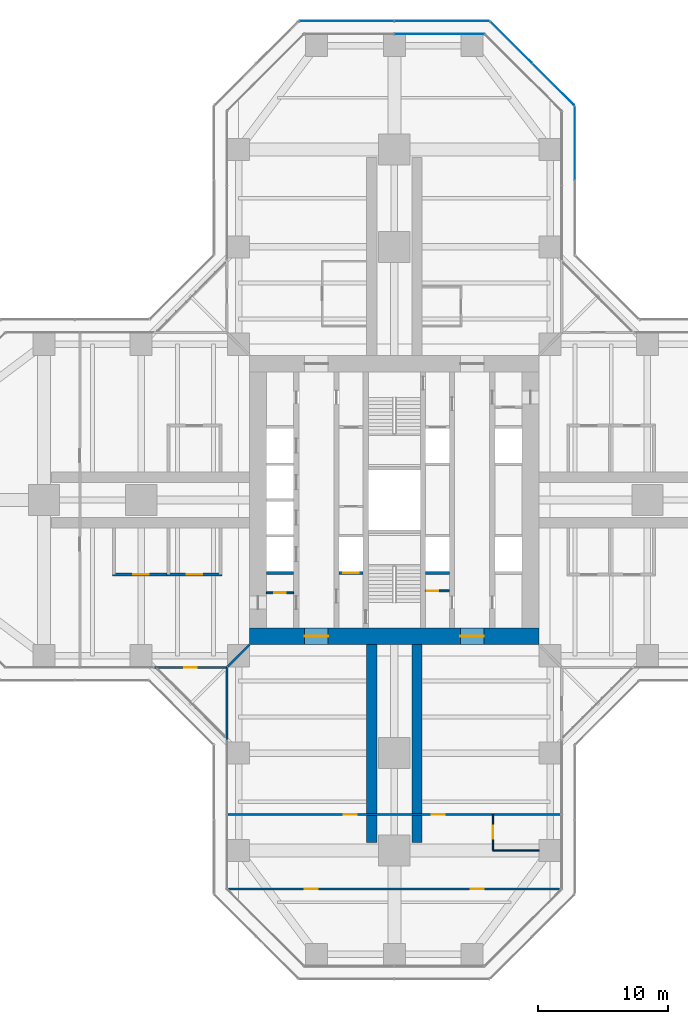
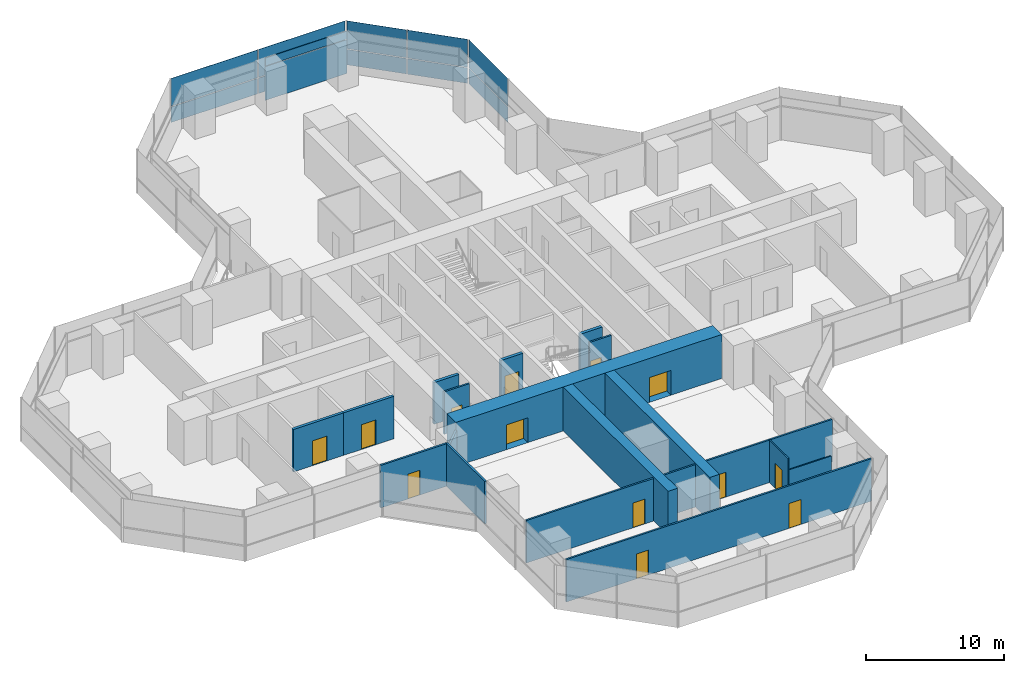
# One storey, part 17 of 22: 17 walls, 13 doors, 12 plates, 13 openings, 4 elements without a shape of their own.
"""IFC4 building model written with IfcOpenShell, lengths in metres."""

from ifc_helpers import new_model, si_unit, direction, frame, frame_2d, origin, origin_2d, place, context, subcontext, project, spatial, rectangle, extrude, material, layer, layer_set, type_object, element, fill, aggregate, save


model = new_model("IFC4")

# Units and contexts
model_context = context("Model", 3, precision=1e-05, world=origin(), true_north=direction((0.0, 1.0)))
body_context = subcontext(model_context, "Body", "Model", "MODEL_VIEW")
ifc_project = project(units=[si_unit("LENGTHUNIT", "METRE"), si_unit("AREAUNIT", "SQUARE_METRE"), si_unit("VOLUMEUNIT", "CUBIC_METRE"), si_unit("PLANEANGLEUNIT", "RADIAN"), si_unit("MASSUNIT", "GRAM", prefix="KILO")], contexts=[model_context])

# Site, building, storey
site_placement = place(None, origin())
site = spatial("IfcSite", under=ifc_project, at=site_placement, CompositionType="ELEMENT")
building_placement = place(site_placement, origin())
building = spatial("IfcBuilding", under=site, at=building_placement, Name="Mizan Broadcast Tower", CompositionType="ELEMENT")
storey_placement = place(building_placement, frame((0.0, 0.0, 63.0)))
storey = spatial("IfcBuildingStorey", under=building, at=storey_placement, Name="L12", CompositionType="ELEMENT", Elevation=63.0)

# Curtain wall, plates
ifc_material_1 = material(Name="Aluminium framed glazing", Category="aluminium")
curtain_wall_type_1 = type_object("IfcCurtainWallType", Name="INNER SKIN LOW ZONE", PredefinedType="USERDEFINED", material=ifc_material_1)
curtain_wall_1_placement = place(storey_placement, origin())
curtain_wall_1 = element("IfcCurtainWall", 1, at=curtain_wall_1_placement, inside=storey, type_object=curtain_wall_type_1, Name="Inner skin low zone L12 N end", ObjectType="INNER SKIN LOW ZONE", PredefinedType="USERDEFINED")
ifc_material_2 = material(Name="Double glazing, clear low-e", Category="glass")
ifc_layer_1 = layer(ifc_material_2, 0.028076171875)
ifc_layer_set_1 = layer_set([ifc_layer_1], Name="Double glazing, clear low-e")
plate_type_1 = type_object("IfcPlateType", Name="INNER SKIN GLAZING UNIT", PredefinedType="CURTAIN_PANEL", material=ifc_layer_set_1)
plate_1_placement = place(storey_placement, frame((3.46435546875, 35.89990234375, 0.0), z_axis=(0.0, 0.0, 1.0), x_axis=(-1.0, 0.0, 0.0)))
plate_1 = element("IfcPlate", 2, at=plate_1_placement, type_object=plate_type_1, Name="Inner skin low zone L12 N end panel 1.1", PredefinedType="CURTAIN_PANEL", context=body_context, shape_type="SweptSolid", body=[
    extrude(rectangle(XDim=6.86865234375, YDim=0.028076171875, at=origin_2d()), origin(), (0.0, 0.0, 1.0), 3.0),
])
ifc_material_3 = material(Name="Insulated aluminium spandrel panel, pale anodised", Category="aluminium")
ifc_layer_2 = layer(ifc_material_3, 0.050048828125)
ifc_layer_set_2 = layer_set([ifc_layer_2], Name="Insulated aluminium spandrel panel, pale anodised")
plate_type_2 = type_object("IfcPlateType", Name="INNER SKIN SPANDREL PANEL", PredefinedType="CURTAIN_PANEL", material=ifc_layer_set_2)
plate_2_placement = place(storey_placement, frame((3.46435546875, 35.89990234375, 3.06005859375), z_axis=(0.0, 0.0, 1.0), x_axis=(-1.0, 0.0, 0.0)))
plate_2 = element("IfcPlate", 3, at=plate_2_placement, type_object=plate_type_2, Name="Inner skin low zone L12 N end panel 1.2", PredefinedType="CURTAIN_PANEL", context=body_context, shape_type="SweptSolid", body=[
    extrude(rectangle(XDim=6.86865234375, YDim=0.050048828125, at=origin_2d()), origin(), (0.0, 0.0, 1.0), 0.7099609375),
])
aggregate(curtain_wall_1, [plate_1, plate_2])

ifc_material_4 = material(Name="Aluminium framed glazing", Category="aluminium")
curtain_wall_type_2 = type_object("IfcCurtainWallType", Name="OUTER SKIN", PredefinedType="USERDEFINED", material=ifc_material_4)
curtain_wall_2_placement = place(storey_placement, origin())
curtain_wall_2 = element("IfcCurtainWall", 4, at=curtain_wall_2_placement, inside=storey, type_object=curtain_wall_type_2, Name="Outer skin L12 N chamfer", ObjectType="OUTER SKIN", PredefinedType="USERDEFINED")
ifc_material_5 = material(Name="Laminated clear glass", Category="glass")
ifc_layer_3 = layer(ifc_material_5, 0.02001953125)
ifc_layer_set_3 = layer_set([ifc_layer_3], Name="Laminated clear glass")
plate_type_3 = type_object("IfcPlateType", Name="OUTER SKIN CLEAR GLASS", PredefinedType="CURTAIN_PANEL", material=ifc_layer_set_3)
plate_3_placement = place(storey_placement, frame((12.254150390625, 32.018798828125, 0.0), z_axis=(0.0, 0.0, 1.0), x_axis=(-0.707106781187, 0.707106781187, 0.0)))
plate_3 = element("IfcPlate", 5, at=plate_3_placement, type_object=plate_type_3, Name="Outer skin L12 N chamfer panel 1.1", PredefinedType="CURTAIN_PANEL", context=body_context, shape_type="SweptSolid", body=[
    extrude(rectangle(XDim=4.495361328125, YDim=0.02001953125, at=origin_2d()), origin(), (0.0, 0.0, 1.0), 1.3701171875),
])
plate_4_placement = place(storey_placement, frame((12.254150390625, 32.018798828125, 1.43017578125), z_axis=(0.0, 0.0, 1.0), x_axis=(-0.707106781187, 0.707106781187, 0.0)))
plate_4 = element("IfcPlate", 6, at=plate_4_placement, type_object=plate_type_3, Name="Outer skin L12 N chamfer panel 1.2", PredefinedType="CURTAIN_PANEL", context=body_context, shape_type="SweptSolid", body=[
    extrude(rectangle(XDim=4.495361328125, YDim=0.02001953125, at=origin_2d()), origin(), (0.0, 0.0, 1.0), 2.469970703125),
])

curtain_wall_3_placement = place(storey_placement, origin())
curtain_wall_3 = element("IfcCurtainWall", 7, at=curtain_wall_3_placement, inside=storey, type_object=curtain_wall_type_2, Name="Outer skin L12 N end", ObjectType="OUTER SKIN", PredefinedType="USERDEFINED")
plate_5_placement = place(storey_placement, frame((3.66650390625, 36.89990234375, 0.0), z_axis=(0.0, 0.0, 1.0), x_axis=(-1.0, 0.0, 0.0)))
plate_5 = element("IfcPlate", 8, at=plate_5_placement, type_object=plate_type_3, Name="Outer skin L12 N end panel 1.1", PredefinedType="CURTAIN_PANEL", context=body_context, shape_type="SweptSolid", body=[
    extrude(rectangle(XDim=7.252685546875, YDim=0.02001953125, at=origin_2d()), origin(), (0.0, 0.0, 1.0), 1.3701171875),
])
plate_6_placement = place(storey_placement, frame((3.66650390625, 36.89990234375, 1.43017578125), z_axis=(0.0, 0.0, 1.0), x_axis=(-1.0, 0.0, 0.0)))
plate_6 = element("IfcPlate", 9, at=plate_6_placement, type_object=plate_type_3, Name="Outer skin L12 N end panel 1.2", PredefinedType="CURTAIN_PANEL", context=body_context, shape_type="SweptSolid", body=[
    extrude(rectangle(XDim=7.252685546875, YDim=0.02001953125, at=origin_2d()), origin(), (0.0, 0.0, 1.0), 2.469970703125),
])
plate_7_placement = place(storey_placement, frame((-3.66650390625, 36.89990234375, 0.0), z_axis=(0.0, 0.0, 1.0), x_axis=(-1.0, 0.0, 0.0)))
plate_7 = element("IfcPlate", 10, at=plate_7_placement, type_object=plate_type_3, Name="Outer skin L12 N end panel 2.1", PredefinedType="CURTAIN_PANEL", context=body_context, shape_type="SweptSolid", body=[
    extrude(rectangle(XDim=7.252685546875, YDim=0.02001953125, at=origin_2d()), origin(), (0.0, 0.0, 1.0), 1.3701171875),
])
plate_8_placement = place(storey_placement, frame((-3.66650390625, 36.89990234375, 1.43017578125), z_axis=(0.0, 0.0, 1.0), x_axis=(-1.0, 0.0, 0.0)))
plate_8 = element("IfcPlate", 11, at=plate_8_placement, type_object=plate_type_3, Name="Outer skin L12 N end panel 2.2", PredefinedType="CURTAIN_PANEL", context=body_context, shape_type="SweptSolid", body=[
    extrude(rectangle(XDim=7.252685546875, YDim=0.02001953125, at=origin_2d()), origin(), (0.0, 0.0, 1.0), 2.469970703125),
])
aggregate(curtain_wall_3, [plate_5, plate_6, plate_7, plate_8])

curtain_wall_4_placement = place(storey_placement, origin())
curtain_wall_4 = element("IfcCurtainWall", 12, at=curtain_wall_4_placement, inside=storey, type_object=curtain_wall_type_2, Name="Outer skin L12 N side", ObjectType="OUTER SKIN", PredefinedType="USERDEFINED")
ifc_material_6 = material(Name="Perforated aluminium, pale anodised", Category="aluminium")
ifc_layer_4 = layer(ifc_material_6, 0.011962890625)
ifc_layer_set_4 = layer_set([ifc_layer_4], Name="Perforated aluminium, pale anodised")
plate_type_4 = type_object("IfcPlateType", Name="OUTER SKIN PERFORATED SCREEN", PredefinedType="USERDEFINED", material=ifc_layer_set_4)
plate_9_placement = place(storey_placement, frame((13.89990234375, 27.477783203125, 0.0), z_axis=(0.0, 0.0, 1.0), x_axis=(0.0, 1.0, 0.0)))
plate_9 = element("IfcPlate", 13, at=plate_9_placement, type_object=plate_type_4, Name="Outer skin L12 N side panel 2.1", ObjectType="SCREEN", PredefinedType="USERDEFINED", context=body_context, shape_type="SweptSolid", body=[
    extrude(rectangle(XDim=5.6298828125, YDim=0.011962890625, at=origin_2d()), origin(), (0.0, 0.0, 1.0), 1.3701171875),
])
plate_10_placement = place(storey_placement, frame((13.89990234375, 27.477783203125, 1.43017578125), z_axis=(0.0, 0.0, 1.0), x_axis=(0.0, 1.0, 0.0)))
plate_10 = element("IfcPlate", 14, at=plate_10_placement, type_object=plate_type_4, Name="Outer skin L12 N side panel 2.2", ObjectType="SCREEN", PredefinedType="USERDEFINED", context=body_context, shape_type="SweptSolid", body=[
    extrude(rectangle(XDim=5.6298828125, YDim=0.011962890625, at=origin_2d()), origin(), (0.0, 0.0, 1.0), 2.469970703125),
])
aggregate(curtain_wall_4, [plate_9, plate_10])

# Plate
plate_11_placement = place(storey_placement, frame((9.018798828125, 35.254150390625, 0.0), z_axis=(0.0, 0.0, 1.0), x_axis=(-0.707106781187, 0.707106781187, 0.0)))
plate_11 = element("IfcPlate", 15, at=plate_11_placement, type_object=plate_type_4, Name="Outer skin L12 N chamfer panel 2.1", ObjectType="SCREEN", PredefinedType="USERDEFINED", context=body_context, shape_type="SweptSolid", body=[
    extrude(rectangle(XDim=4.495361328125, YDim=0.011962890625, at=origin_2d()), origin(), (0.0, 0.0, 1.0), 1.3701171875),
])

plate_12_placement = place(storey_placement, frame((9.018798828125, 35.254150390625, 1.43017578125), z_axis=(0.0, 0.0, 1.0), x_axis=(-0.707106781187, 0.707106781187, 0.0)))
plate_12 = element("IfcPlate", 16, at=plate_12_placement, type_object=plate_type_4, Name="Outer skin L12 N chamfer panel 2.2", ObjectType="SCREEN", PredefinedType="USERDEFINED", context=body_context, shape_type="SweptSolid", body=[
    extrude(rectangle(XDim=4.495361328125, YDim=0.011962890625, at=origin_2d()), origin(), (0.0, 0.0, 1.0), 2.469970703125),
])

aggregate(curtain_wall_2, [plate_3, plate_4, plate_11, plate_12])

# Wall, opening, door
ifc_material_7 = material(Name="Concrete blockwork", Category="masonry")
ifc_layer_5 = layer(ifc_material_7, 0.14990234375)
ifc_layer_set_5 = layer_set([ifc_layer_5], Name="Concrete blockwork")
wall_type_1 = type_object("IfcWallType", Name="CORE PARTITION 150", PredefinedType="SOLIDWALL", material=ifc_layer_set_5)
wall_1_placement = place(storey_placement, frame((2.39990234375, -7.0, 0.0), z_axis=(0.0, 0.0, 1.0), x_axis=(1.0, 0.0, 0.0)))
wall_1 = element("IfcWall", 17, at=wall_1_placement, inside=storey, type_object=wall_type_1, Name="Core partition CORE/XPC", PredefinedType="SOLIDWALL", context=body_context, shape_type="SweptSolid", body=[
    extrude(rectangle(XDim=1.85009765625, YDim=0.14990234375, at=frame_2d((0.925048828125, 0.0))), origin(), (0.0, 0.0, 1.0), 3.77001953125),
])
opening_1_placement = place(wall_1_placement, frame((0.10009765625, 0.0, 0.0)))
opening_1 = element("IfcOpeningElement", 18, at=opening_1_placement, cuts=wall_1, Name="Opening D09F", PredefinedType="OPENING", context=body_context, shape_type="SweptSolid", body=[
    extrude(rectangle(XDim=0.89990234375, YDim=2.10009765625, at=frame_2d((0.449951171875, 1.050048828125))), frame((0.0, 0.0849609375, 0.0), z_axis=(0.0, -1.0, 0.0), x_axis=(1.0, 0.0, 0.0)), (0.0, 0.0, 1.0), 0.169921875),
])
ifc_material_8 = material(Name="Steel door leaf in steel frame", Category="steel")
door_type_1 = type_object("IfcDoorType", Name="CORE ROOM DOOR 900 FD90", OperationType="SINGLE_SWING_LEFT", PredefinedType="DOOR", material=ifc_material_8)
door_1_placement = place(opening_1_placement, origin())
door_1 = element("IfcDoor", 19, at=door_1_placement, inside=storey, type_object=door_type_1, Name="Cleaning materials store door", OperationType="SINGLE_SWING_LEFT", OverallHeight=2.10009765625, OverallWidth=0.89990234375, PredefinedType="DOOR", context=body_context, shape_type="SweptSolid", body=[
    extrude(rectangle(XDim=0.89990234375, YDim=2.10009765625, at=frame_2d((0.449951171875, 1.050048828125))), frame((0.0, 0.02490234375, 0.0), z_axis=(0.0, -1.0, 0.0), x_axis=(1.0, 0.0, 0.0)), (0.0, 0.0, 1.0), 0.050048828125),
])
fill(opening_1, door_1)

wall_2_placement = place(storey_placement, frame((-9.85009765625, -7.14990234375, 0.0), z_axis=(0.0, 0.0, 1.0), x_axis=(1.0, 0.0, 0.0)))
wall_2 = element("IfcWall", 20, at=wall_2_placement, inside=storey, type_object=wall_type_1, Name="Core partition CORE/XPW", PredefinedType="SOLIDWALL", context=body_context, shape_type="SweptSolid", body=[
    extrude(rectangle(XDim=2.10009765625, YDim=0.14990234375, at=frame_2d((1.050048828125, 0.0))), origin(), (0.0, 0.0, 1.0), 3.77001953125),
])
opening_2_placement = place(wall_2_placement, frame((0.60009765625, 0.0, 0.0)))
opening_2 = element("IfcOpeningElement", 21, at=opening_2_placement, cuts=wall_2, Name="Opening D09F", PredefinedType="OPENING", context=body_context, shape_type="SweptSolid", body=[
    extrude(rectangle(XDim=0.89990234375, YDim=2.10009765625, at=frame_2d((0.449951171875, 1.050048828125))), frame((0.0, 0.0849609375, 0.0), z_axis=(0.0, -1.0, 0.0), x_axis=(1.0, 0.0, 0.0)), (0.0, 0.0, 1.0), 0.169921875),
])
door_2_placement = place(opening_2_placement, origin())
door_2 = element("IfcDoor", 22, at=door_2_placement, inside=storey, type_object=door_type_1, Name="Fire hose reel cupboard door", OperationType="SINGLE_SWING_RIGHT", OverallHeight=2.10009765625, OverallWidth=0.89990234375, PredefinedType="DOOR", context=body_context, shape_type="SweptSolid", body=[
    extrude(rectangle(XDim=0.89990234375, YDim=2.10009765625, at=frame_2d((0.449951171875, 1.050048828125))), frame((0.0, 0.02490234375, 0.0), z_axis=(0.0, -1.0, 0.0), x_axis=(1.0, 0.0, 0.0)), (0.0, 0.0, 1.0), 0.050048828125),
])
fill(opening_2, door_2)

# Wall, openings, doors
ifc_material_9 = material(Name="Concrete C70/85", Category="concrete")
ifc_layer_6 = layer(ifc_material_9, 1.300048828125)
ifc_layer_set_6 = layer_set([ifc_layer_6], Name="Concrete C70/85")
wall_type_2 = type_object("IfcWallType", Name="CORE WALL 1300", PredefinedType="SHEAR", material=ifc_layer_set_6)
wall_3_placement = place(storey_placement, frame((11.14990234375, -10.5, 0.0), z_axis=(0.0, 0.0, 1.0), x_axis=(-1.0, 0.0, 0.0)))
wall_3 = element("IfcWall", 23, at=wall_3_placement, inside=storey, type_object=wall_type_2, Name="Core wall S L12", PredefinedType="SHEAR", context=body_context, shape_type="SweptSolid", body=[
    extrude(rectangle(XDim=22.2998046875, YDim=1.300048828125, at=frame_2d((11.14990234375, 0.0))), origin(), (0.0, 0.0, 1.0), 3.89990234375),
])
opening_3_placement = place(wall_3_placement, frame((16.25, 0.0, 0.0)))
opening_3 = element("IfcOpeningElement", 24, at=opening_3_placement, cuts=wall_3, Name="Opening D18F", PredefinedType="OPENING", context=body_context, shape_type="SweptSolid", body=[
    extrude(rectangle(XDim=1.800048828125, YDim=2.199951171875, at=frame_2d((0.89990234375, 1.10009765625))), frame((0.0, 0.659912109375, 0.0), z_axis=(0.0, -1.0, 0.0), x_axis=(1.0, 0.0, 0.0)), (0.0, 0.0, 1.0), 1.320068359375),
])
opening_4_placement = place(wall_3_placement, frame((4.25, 0.0, 0.0)))
opening_4 = element("IfcOpeningElement", 25, at=opening_4_placement, cuts=wall_3, Name="Opening D18F", PredefinedType="OPENING", context=body_context, shape_type="SweptSolid", body=[
    extrude(rectangle(XDim=1.800048828125, YDim=2.199951171875, at=frame_2d((0.89990234375, 1.10009765625))), frame((0.0, 0.659912109375, 0.0), z_axis=(0.0, -1.0, 0.0), x_axis=(1.0, 0.0, 0.0)), (0.0, 0.0, 1.0), 1.320068359375),
])
ifc_material_10 = material(Name="Steel door leaf in steel frame", Category="steel")
door_type_2 = type_object("IfcDoorType", Name="LOBBY DOUBLE DOOR 1800 FD90", OperationType="DOUBLE_DOOR_DOUBLE_SWING", PredefinedType="DOOR", material=ifc_material_10)
door_3_placement = place(opening_3_placement, origin())
door_3 = element("IfcDoor", 26, at=door_3_placement, inside=storey, type_object=door_type_2, Name="West lift lobby south door", OperationType="DOUBLE_DOOR_DOUBLE_SWING", OverallHeight=2.199951171875, OverallWidth=1.800048828125, PredefinedType="DOOR", context=body_context, shape_type="SweptSolid", body=[
    extrude(rectangle(XDim=1.800048828125, YDim=2.199951171875, at=frame_2d((0.89990234375, 1.10009765625))), frame((0.0, 0.02490234375, 0.0), z_axis=(0.0, -1.0, 0.0), x_axis=(1.0, 0.0, 0.0)), (0.0, 0.0, 1.0), 0.050048828125),
])
fill(opening_3, door_3)
door_4_placement = place(opening_4_placement, origin())
door_4 = element("IfcDoor", 27, at=door_4_placement, inside=storey, type_object=door_type_2, Name="East lift lobby south door", OperationType="DOUBLE_DOOR_DOUBLE_SWING", OverallHeight=2.199951171875, OverallWidth=1.800048828125, PredefinedType="DOOR", context=body_context, shape_type="SweptSolid", body=[
    extrude(rectangle(XDim=1.800048828125, YDim=2.199951171875, at=frame_2d((0.89990234375, 1.10009765625))), frame((0.0, 0.02490234375, 0.0), z_axis=(0.0, -1.0, 0.0), x_axis=(1.0, 0.0, 0.0)), (0.0, 0.0, 1.0), 0.050048828125),
])
fill(opening_4, door_4)

# Wall, opening, door
ifc_material_11 = material(Name="Aluminium framed glazed screen", Category="aluminium")
ifc_layer_7 = layer(ifc_material_11, 0.159912109375)
ifc_layer_set_7 = layer_set([ifc_layer_7], Name="Aluminium framed glazed screen")
wall_type_3 = type_object("IfcWallType", Name="GLAZED SCREEN WALL 160", PredefinedType="SOLIDWALL", material=ifc_layer_set_7)
wall_4_placement = place(storey_placement, frame((-18.5, -12.89990234375, 0.0), z_axis=(0.0, 0.0, 1.0), x_axis=(1.0, 0.0, 0.0)))
wall_4 = element("IfcWall", 28, at=wall_4_placement, inside=storey, type_object=wall_type_3, Name="Winter garden screen L12 W", PredefinedType="SOLIDWALL", context=body_context, shape_type="SweptSolid", body=[
    extrude(rectangle(XDim=5.60009765625, YDim=0.159912109375, at=frame_2d((2.800048828125, 0.0))), origin(), (0.0, 0.0, 1.0), 3.77001953125),
])
opening_5_placement = place(wall_4_placement, frame((2.300048828125, 0.0, 0.0)))
opening_5 = element("IfcOpeningElement", 29, at=opening_5_placement, cuts=wall_4, Name="Opening WGD", PredefinedType="OPENING", context=body_context, shape_type="SweptSolid", body=[
    extrude(rectangle(XDim=1.0, YDim=2.199951171875, at=frame_2d((0.5, 1.10009765625))), frame((0.0, 0.08984375, 0.0), z_axis=(0.0, -1.0, 0.0), x_axis=(1.0, 0.0, 0.0)), (0.0, 0.0, 1.0), 0.179931640625),
])
ifc_material_12 = material(Name="Aluminium framed glazed door", Category="aluminium")
door_type_3 = type_object("IfcDoorType", Name="WINTER GARDEN DOOR 1000 GLAZED", OperationType="SINGLE_SWING_LEFT", PredefinedType="DOOR", material=ifc_material_12)
door_5_placement = place(opening_5_placement, origin())
door_5 = element("IfcDoor", 30, at=door_5_placement, inside=storey, type_object=door_type_3, Name="Winter garden door L12 W", OperationType="SINGLE_SWING_RIGHT", OverallHeight=2.199951171875, OverallWidth=1.0, PredefinedType="DOOR", context=body_context, shape_type="SweptSolid", body=[
    extrude(rectangle(XDim=1.0, YDim=2.199951171875, at=frame_2d((0.5, 1.10009765625))), frame((0.0, 0.02490234375, 0.0), z_axis=(0.0, -1.0, 0.0), x_axis=(1.0, 0.0, 0.0)), (0.0, 0.0, 1.0), 0.050048828125),
])
fill(opening_5, door_5)

# Walls
wall_5_placement = place(storey_placement, frame((-12.89990234375, -12.89990234375, 0.0), z_axis=(0.0, 0.0, 1.0), x_axis=(0.0, -1.0, 0.0)))
element("IfcWall", 31, at=wall_5_placement, inside=storey, type_object=wall_type_3, Name="Winter garden screen L12 S", PredefinedType="SOLIDWALL", context=body_context, shape_type="SweptSolid", body=[
    extrude(rectangle(XDim=5.60009765625, YDim=0.159912109375, at=frame_2d((2.800048828125, 0.0))), origin(), (0.0, 0.0, 1.0), 3.77001953125),
])
ifc_material_13 = material(Name="Concrete blockwork", Category="masonry")
ifc_layer_8 = layer(ifc_material_13, 0.25)
ifc_layer_set_8 = layer_set([ifc_layer_8], Name="Concrete blockwork")
wall_type_4 = type_object("IfcWallType", Name="LOBBY ENCLOSURE WALL 250", PredefinedType="SOLIDWALL", material=ifc_layer_set_8)
wall_6_placement = place(storey_placement, frame((-9.85009765625, -5.625, 0.0), z_axis=(0.0, 0.0, 1.0), x_axis=(1.0, 0.0, 0.0)))
element("IfcWall", 32, at=wall_6_placement, inside=storey, type_object=wall_type_4, Name="Lobby enclosure wall CORE/BW1S", PredefinedType="SOLIDWALL", context=body_context, shape_type="SweptSolid", body=[
    extrude(rectangle(XDim=2.10009765625, YDim=0.25, at=frame_2d((1.050048828125, 0.0))), origin(), (0.0, 0.0, 1.0), 3.699951171875),
])

# Wall, opening, door
wall_7_placement = place(storey_placement, frame((-4.25, -5.625, 0.0), z_axis=(0.0, 0.0, 1.0), x_axis=(1.0, 0.0, 0.0)))
wall_7 = element("IfcWall", 33, at=wall_7_placement, inside=storey, type_object=wall_type_4, Name="Lobby enclosure wall CORE/BW2S", PredefinedType="SOLIDWALL", context=body_context, shape_type="SweptSolid", body=[
    extrude(rectangle(XDim=1.85009765625, YDim=0.25, at=frame_2d((0.925048828125, 0.0))), origin(), (0.0, 0.0, 1.0), 3.699951171875),
])
opening_6_placement = place(wall_7_placement, frame((0.324951171875, 0.0, 0.0)))
opening_6 = element("IfcOpeningElement", 34, at=opening_6_placement, cuts=wall_7, Name="Opening LDF", PredefinedType="OPENING", context=body_context, shape_type="SweptSolid", body=[
    extrude(rectangle(XDim=1.199951171875, YDim=2.199951171875, at=frame_2d((0.60009765625, 1.10009765625))), frame((0.0, 0.135009765625, 0.0), z_axis=(0.0, -1.0, 0.0), x_axis=(1.0, 0.0, 0.0)), (0.0, 0.0, 1.0), 0.27001953125),
])
ifc_material_14 = material(Name="Steel door leaf in steel frame", Category="steel")
door_type_4 = type_object("IfcDoorType", Name="FIREFIGHTING LIFT LANDING DOOR 1200", OperationType="SLIDING_TO_LEFT", PredefinedType="DOOR", material=ifc_material_14)
door_6_placement = place(opening_6_placement, origin())
door_6 = element("IfcDoor", 35, at=door_6_placement, inside=storey, type_object=door_type_4, Name="Landing door FF1", OperationType="SLIDING_TO_LEFT", OverallHeight=2.199951171875, OverallWidth=1.199951171875, PredefinedType="DOOR", context=body_context, shape_type="SweptSolid", body=[
    extrude(rectangle(XDim=1.199951171875, YDim=2.199951171875, at=frame_2d((0.60009765625, 1.10009765625))), frame((0.0, 0.02490234375, 0.0), z_axis=(0.0, -1.0, 0.0), x_axis=(1.0, 0.0, 0.0)), (0.0, 0.0, 1.0), 0.050048828125),
])
fill(opening_6, door_6)

# Wall
wall_8_placement = place(storey_placement, frame((2.39990234375, -5.625, 0.0), z_axis=(0.0, 0.0, 1.0), x_axis=(1.0, 0.0, 0.0)))
element("IfcWall", 36, at=wall_8_placement, inside=storey, type_object=wall_type_4, Name="Lobby enclosure wall CORE/BE2S", PredefinedType="SOLIDWALL", context=body_context, shape_type="SweptSolid", body=[
    extrude(rectangle(XDim=1.85009765625, YDim=0.25, at=frame_2d((0.925048828125, 0.0))), origin(), (0.0, 0.0, 1.0), 3.699951171875),
])

# Wall, openings, doors
ifc_material_15 = material(Name="Gypsum board on steel studs", Category="steel")
ifc_layer_9 = layer(ifc_material_15, 0.14990234375)
ifc_layer_set_9 = layer_set([ifc_layer_9], Name="Gypsum board on steel studs")
wall_type_5 = type_object("IfcWallType", Name="PARTITION 150", PredefinedType="PARTITIONING", material=ifc_layer_set_9)
wall_9_placement = place(storey_placement, frame((-12.820068359375, -24.22900390625, 0.0), z_axis=(0.0, 0.0, 1.0), x_axis=(1.0, 0.0, 0.0)))
wall_9 = element("IfcWall", 37, at=wall_9_placement, inside=storey, type_object=wall_type_5, Name="Partition PT/SX1", PredefinedType="PARTITIONING", context=body_context, shape_type="SweptSolid", body=[
    extrude(rectangle(XDim=25.64013671875, YDim=0.14990234375, at=frame_2d((12.820068359375, 0.0))), origin(), (0.0, 0.0, 1.0), 3.77001953125),
])
opening_7_placement = place(wall_9_placement, frame((15.719970703125, 0.0, 0.0)))
opening_7 = element("IfcOpeningElement", 38, at=opening_7_placement, cuts=wall_9, Name="Opening D10", PredefinedType="OPENING", context=body_context, shape_type="SweptSolid", body=[
    extrude(rectangle(XDim=1.0, YDim=2.199951171875, at=frame_2d((0.5, 1.10009765625))), frame((0.0, 0.0849609375, 0.0), z_axis=(0.0, -1.0, 0.0), x_axis=(1.0, 0.0, 0.0)), (0.0, 0.0, 1.0), 0.169921875),
])
opening_8_placement = place(wall_9_placement, frame((8.919921875, 0.0, 0.0)))
opening_8 = element("IfcOpeningElement", 39, at=opening_8_placement, cuts=wall_9, Name="Opening D10", PredefinedType="OPENING", context=body_context, shape_type="SweptSolid", body=[
    extrude(rectangle(XDim=1.0, YDim=2.199951171875, at=frame_2d((0.5, 1.10009765625))), frame((0.0, 0.0849609375, 0.0), z_axis=(0.0, -1.0, 0.0), x_axis=(1.0, 0.0, 0.0)), (0.0, 0.0, 1.0), 0.169921875),
])
ifc_material_16 = material(Name="Timber door leaf in aluminium frame", Category="wood")
door_type_5 = type_object("IfcDoorType", Name="ROOM DOOR 1000", OperationType="SINGLE_SWING_LEFT", PredefinedType="DOOR", material=ifc_material_16)
door_7_placement = place(opening_7_placement, origin())
door_7 = element("IfcDoor", 40, at=door_7_placement, inside=storey, type_object=door_type_5, Name="Open office door", OperationType="SINGLE_SWING_RIGHT", OverallHeight=2.199951171875, OverallWidth=1.0, PredefinedType="DOOR", context=body_context, shape_type="SweptSolid", body=[
    extrude(rectangle(XDim=1.0, YDim=2.199951171875, at=frame_2d((0.5, 1.10009765625))), frame((0.0, 0.02490234375, 0.0), z_axis=(0.0, -1.0, 0.0), x_axis=(1.0, 0.0, 0.0)), (0.0, 0.0, 1.0), 0.050048828125),
])
fill(opening_7, door_7)
door_8_placement = place(opening_8_placement, origin())
door_8 = element("IfcDoor", 41, at=door_8_placement, inside=storey, type_object=door_type_5, Name="Open office door", OperationType="SINGLE_SWING_LEFT", OverallHeight=2.199951171875, OverallWidth=1.0, PredefinedType="DOOR", context=body_context, shape_type="SweptSolid", body=[
    extrude(rectangle(XDim=1.0, YDim=2.199951171875, at=frame_2d((0.5, 1.10009765625))), frame((0.0, 0.02490234375, 0.0), z_axis=(0.0, -1.0, 0.0), x_axis=(1.0, 0.0, 0.0)), (0.0, 0.0, 1.0), 0.050048828125),
])
fill(opening_8, door_8)

wall_10_placement = place(storey_placement, frame((-12.786376953125, -29.958984375, 0.0), z_axis=(0.0, 0.0, 1.0), x_axis=(1.0, 0.0, 0.0)))
wall_10 = element("IfcWall", 42, at=wall_10_placement, inside=storey, type_object=wall_type_5, Name="Partition PT/SX2", PredefinedType="PARTITIONING", context=body_context, shape_type="SweptSolid", body=[
    extrude(rectangle(XDim=25.57275390625, YDim=0.14990234375, at=frame_2d((12.786376953125, 0.0))), origin(), (0.0, 0.0, 1.0), 3.77001953125),
])
opening_9_placement = place(wall_10_placement, frame((18.6865234375, 0.0, 0.0)))
opening_9 = element("IfcOpeningElement", 43, at=opening_9_placement, cuts=wall_10, Name="Opening D10", PredefinedType="OPENING", context=body_context, shape_type="SweptSolid", body=[
    extrude(rectangle(XDim=1.0, YDim=2.199951171875, at=frame_2d((0.5, 1.10009765625))), frame((0.0, 0.0849609375, 0.0), z_axis=(0.0, -1.0, 0.0), x_axis=(1.0, 0.0, 0.0)), (0.0, 0.0, 1.0), 0.169921875),
])
opening_10_placement = place(wall_10_placement, frame((5.886474609375, 0.0, 0.0)))
opening_10 = element("IfcOpeningElement", 44, at=opening_10_placement, cuts=wall_10, Name="Opening D10", PredefinedType="OPENING", context=body_context, shape_type="SweptSolid", body=[
    extrude(rectangle(XDim=1.0, YDim=2.199951171875, at=frame_2d((0.5, 1.10009765625))), frame((0.0, 0.0849609375, 0.0), z_axis=(0.0, -1.0, 0.0), x_axis=(1.0, 0.0, 0.0)), (0.0, 0.0, 1.0), 0.169921875),
])
door_9_placement = place(opening_9_placement, origin())
door_9 = element("IfcDoor", 45, at=door_9_placement, inside=storey, type_object=door_type_5, Name="Meeting room door", OperationType="SINGLE_SWING_RIGHT", OverallHeight=2.199951171875, OverallWidth=1.0, PredefinedType="DOOR", context=body_context, shape_type="SweptSolid", body=[
    extrude(rectangle(XDim=1.0, YDim=2.199951171875, at=frame_2d((0.5, 1.10009765625))), frame((0.0, 0.02490234375, 0.0), z_axis=(0.0, -1.0, 0.0), x_axis=(1.0, 0.0, 0.0)), (0.0, 0.0, 1.0), 0.050048828125),
])
fill(opening_9, door_9)
door_10_placement = place(opening_10_placement, origin())
door_10 = element("IfcDoor", 46, at=door_10_placement, inside=storey, type_object=door_type_5, Name="Meeting room door", OperationType="SINGLE_SWING_LEFT", OverallHeight=2.199951171875, OverallWidth=1.0, PredefinedType="DOOR", context=body_context, shape_type="SweptSolid", body=[
    extrude(rectangle(XDim=1.0, YDim=2.199951171875, at=frame_2d((0.5, 1.10009765625))), frame((0.0, 0.02490234375, 0.0), z_axis=(0.0, -1.0, 0.0), x_axis=(1.0, 0.0, 0.0)), (0.0, 0.0, 1.0), 0.050048828125),
])
fill(opening_10, door_10)

# Wall
wall_11_placement = place(storey_placement, frame((-11.14990234375, -11.14990234375, 0.0), z_axis=(0.0, 0.0, 1.0), x_axis=(-0.707106781187, -0.707106781187, 0.0)))
element("IfcWall", 47, at=wall_11_placement, inside=storey, type_object=wall_type_5, Name="Partition PT/DGWS", PredefinedType="PARTITIONING", context=body_context, shape_type="SweptSolid", body=[
    extrude(rectangle(XDim=2.362060546875, YDim=0.14990234375, at=frame_2d((1.18115234375, 0.0))), origin(), (0.0, 0.0, 1.0), 3.219970703125),
])

# Wall, opening, door
ifc_material_17 = material(Name="Twin steel stud acoustic partition, four layers of gypsum board", Category="steel")
ifc_layer_10 = layer(ifc_material_17, 0.22509765625)
ifc_layer_set_10 = layer_set([ifc_layer_10], Name="Twin steel stud acoustic partition, four layers of gypsum board")
wall_type_6 = type_object("IfcWallType", Name="PARTITION ACOUSTIC 225", PredefinedType="PARTITIONING", material=ifc_layer_set_10)
wall_12_placement = place(storey_placement, frame((-13.28759765625, -5.75, 0.0), z_axis=(0.0, 0.0, 1.0), x_axis=(-1.0, 0.0, 0.0)))
wall_12 = element("IfcWall", 48, at=wall_12_placement, inside=storey, type_object=wall_type_6, Name="Acoustic partition PT/WKP0f", PredefinedType="PARTITIONING", context=body_context, shape_type="SweptSolid", body=[
    extrude(rectangle(XDim=4.224853515625, YDim=0.22509765625, at=frame_2d((2.1123046875, 0.0))), origin(), (0.0, 0.0, 1.0), 3.77001953125),
])
opening_11_placement = place(wall_12_placement, frame((1.512451171875, 0.0, 0.0)))
opening_11 = element("IfcOpeningElement", 49, at=opening_11_placement, cuts=wall_12, Name="Opening D12A", PredefinedType="OPENING", context=body_context, shape_type="SweptSolid", body=[
    extrude(rectangle(XDim=1.199951171875, YDim=2.199951171875, at=frame_2d((0.60009765625, 1.10009765625))), frame((0.0, 0.12255859375, 0.0), z_axis=(0.0, -1.0, 0.0), x_axis=(1.0, 0.0, 0.0)), (0.0, 0.0, 1.0), 0.2451171875),
])
ifc_material_18 = material(Name="Timber door leaf in aluminium frame", Category="wood")
door_type_6 = type_object("IfcDoorType", Name="ACOUSTIC DOOR 1200", OperationType="SINGLE_SWING_LEFT", PredefinedType="DOOR", material=ifc_material_18)
door_11_placement = place(opening_11_placement, origin())
door_11 = element("IfcDoor", 50, at=door_11_placement, inside=storey, type_object=door_type_6, Name="Colour grading suite door", OperationType="SINGLE_SWING_LEFT", OverallHeight=2.199951171875, OverallWidth=1.199951171875, PredefinedType="DOOR", context=body_context, shape_type="SweptSolid", body=[
    extrude(rectangle(XDim=1.199951171875, YDim=2.199951171875, at=frame_2d((0.60009765625, 1.10009765625))), frame((0.0, 0.02490234375, 0.0), z_axis=(0.0, -1.0, 0.0), x_axis=(1.0, 0.0, 0.0)), (0.0, 0.0, 1.0), 0.050048828125),
])
fill(opening_11, door_11)

wall_13_placement = place(storey_placement, frame((-17.512451171875, -5.75, 0.0), z_axis=(0.0, 0.0, 1.0), x_axis=(-1.0, 0.0, 0.0)))
wall_13 = element("IfcWall", 51, at=wall_13_placement, inside=storey, type_object=wall_type_6, Name="Acoustic partition PT/WKP1f", PredefinedType="PARTITIONING", context=body_context, shape_type="SweptSolid", body=[
    extrude(rectangle(XDim=4.199951171875, YDim=0.22509765625, at=frame_2d((2.10009765625, 0.0))), origin(), (0.0, 0.0, 1.0), 3.77001953125),
])
opening_12_placement = place(wall_13_placement, frame((1.387451171875, 0.0, 0.0)))
opening_12 = element("IfcOpeningElement", 52, at=opening_12_placement, cuts=wall_13, Name="Opening D12A", PredefinedType="OPENING", context=body_context, shape_type="SweptSolid", body=[
    extrude(rectangle(XDim=1.199951171875, YDim=2.199951171875, at=frame_2d((0.60009765625, 1.10009765625))), frame((0.0, 0.12255859375, 0.0), z_axis=(0.0, -1.0, 0.0), x_axis=(1.0, 0.0, 0.0)), (0.0, 0.0, 1.0), 0.2451171875),
])
door_12_placement = place(opening_12_placement, origin())
door_12 = element("IfcDoor", 53, at=door_12_placement, inside=storey, type_object=door_type_6, Name="Colour grading suite door", OperationType="SINGLE_SWING_LEFT", OverallHeight=2.199951171875, OverallWidth=1.199951171875, PredefinedType="DOOR", context=body_context, shape_type="SweptSolid", body=[
    extrude(rectangle(XDim=1.199951171875, YDim=2.199951171875, at=frame_2d((0.60009765625, 1.10009765625))), frame((0.0, 0.02490234375, 0.0), z_axis=(0.0, -1.0, 0.0), x_axis=(1.0, 0.0, 0.0)), (0.0, 0.0, 1.0), 0.050048828125),
])
fill(opening_12, door_12)

ifc_material_19 = material(Name="Glazed aluminium partition on aluminium track", Category="aluminium")
ifc_layer_11 = layer(ifc_material_19, 0.10009765625)
ifc_layer_set_11 = layer_set([ifc_layer_11], Name="Glazed aluminium partition on aluminium track")
wall_type_7 = type_object("IfcWallType", Name="PARTITION GLAZED OFFICE FRONT 100", PredefinedType="PARTITIONING", material=ifc_layer_set_11)
wall_14_placement = place(storey_placement, frame((7.60009765625, -24.22900390625, 0.0), z_axis=(0.0, 0.0, 1.0), x_axis=(0.0, -1.0, 0.0)))
wall_14 = element("IfcWall", 54, at=wall_14_placement, inside=storey, type_object=wall_type_7, Name="Glazed office front PT/SCP0", PredefinedType="PARTITIONING", context=body_context, shape_type="SweptSolid", body=[
    extrude(rectangle(XDim=2.77099609375, YDim=0.10009765625, at=frame_2d((1.385498046875, 0.0))), origin(), (0.0, 0.0, 1.0), 3.77001953125),
])
opening_13_placement = place(wall_14_placement, frame((0.885498046875, 0.0, 0.0)))
opening_13 = element("IfcOpeningElement", 55, at=opening_13_placement, cuts=wall_14, Name="Opening D10O", PredefinedType="OPENING", context=body_context, shape_type="SweptSolid", body=[
    extrude(rectangle(XDim=1.0, YDim=2.199951171875, at=frame_2d((0.5, 1.10009765625))), frame((0.0, 0.06005859375, 0.0), z_axis=(0.0, -1.0, 0.0), x_axis=(1.0, 0.0, 0.0)), (0.0, 0.0, 1.0), 0.1201171875),
])
ifc_material_20 = material(Name="Timber door leaf in aluminium frame", Category="wood")
door_type_7 = type_object("IfcDoorType", Name="OFFICE DOOR 1000 GLAZED", OperationType="SINGLE_SWING_LEFT", PredefinedType="DOOR", material=ifc_material_20)
door_13_placement = place(opening_13_placement, origin())
door_13 = element("IfcDoor", 56, at=door_13_placement, inside=storey, type_object=door_type_7, Name="Office door", OperationType="SINGLE_SWING_LEFT", OverallHeight=2.199951171875, OverallWidth=1.0, PredefinedType="DOOR", context=body_context, shape_type="SweptSolid", body=[
    extrude(rectangle(XDim=1.0, YDim=2.199951171875, at=frame_2d((0.5, 1.10009765625))), frame((0.0, 0.02490234375, 0.0), z_axis=(0.0, -1.0, 0.0), x_axis=(1.0, 0.0, 0.0)), (0.0, 0.0, 1.0), 0.050048828125),
])
fill(opening_13, door_13)

# Walls
wall_15_placement = place(storey_placement, frame((7.60009765625, -27.0, 0.0), z_axis=(0.0, 0.0, 1.0), x_axis=(1.0, 0.0, 0.0)))
element("IfcWall", 57, at=wall_15_placement, inside=storey, type_object=wall_type_7, Name="Glazed office front PT/SQP2700", PredefinedType="PARTITIONING", context=body_context, shape_type="SweptSolid", body=[
    extrude(rectangle(XDim=3.5498046875, YDim=0.10009765625, at=frame_2d((1.77490234375, 0.0))), origin(), (0.0, 0.0, 1.0), 2.77001953125),
])
ifc_material_21 = material(Name="Concrete C70/85", Category="concrete")
ifc_layer_12 = layer(ifc_material_21, 0.800048828125)
ifc_layer_set_12 = layer_set([ifc_layer_12], Name="Concrete C70/85")
wall_type_8 = type_object("IfcWallType", Name="SPINE WALL 800", PredefinedType="SHEAR", material=ifc_layer_set_12)
for number, where, z_axis, x_axis, name in (
    (58, (-1.75, -11.14990234375, 0.0), (0.0, 0.0, 1.0), (0.0, -1.0, 0.0), "Spine wall SR L12"),
    (59, (1.75, -11.14990234375, 0.0), (0.0, 0.0, 1.0), (0.0, -1.0, 0.0), "Spine wall SL L12"),
):
    element("IfcWall", number, at=place(storey_placement, frame(where, z_axis=z_axis, x_axis=x_axis)), inside=storey, type_object=wall_type_8, Name=name, PredefinedType="SHEAR", context=body_context, shape_type="SweptSolid", body=[
        extrude(rectangle(XDim=15.25, YDim=0.800048828125, at=frame_2d((7.625, 0.0))), origin(), (0.0, 0.0, 1.0), 3.89990234375),
    ])

save(model, "model.ifc")
